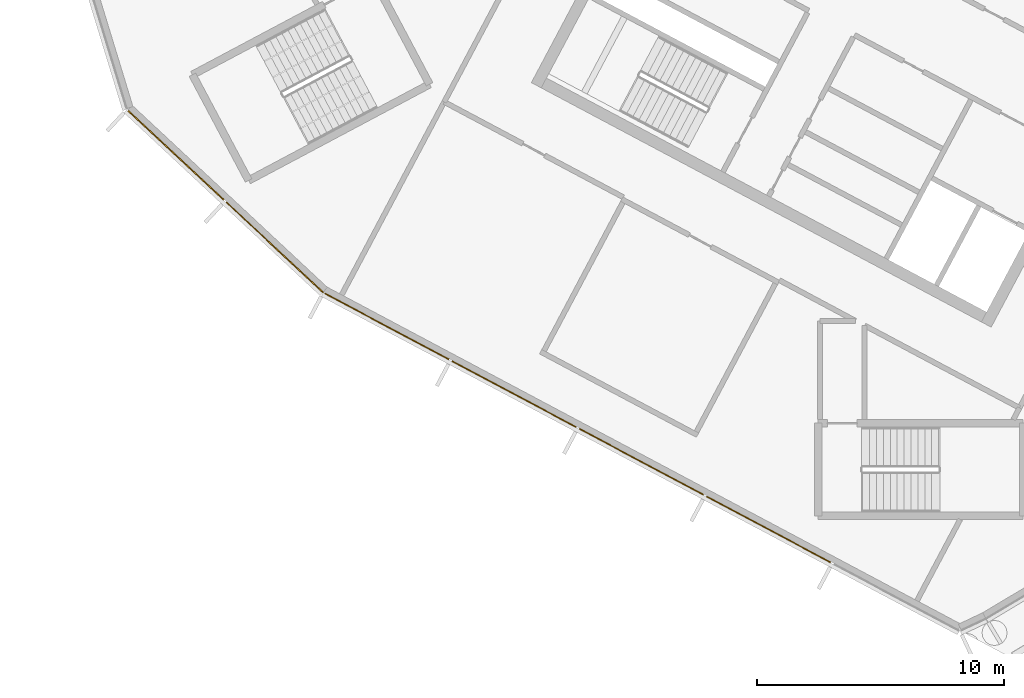
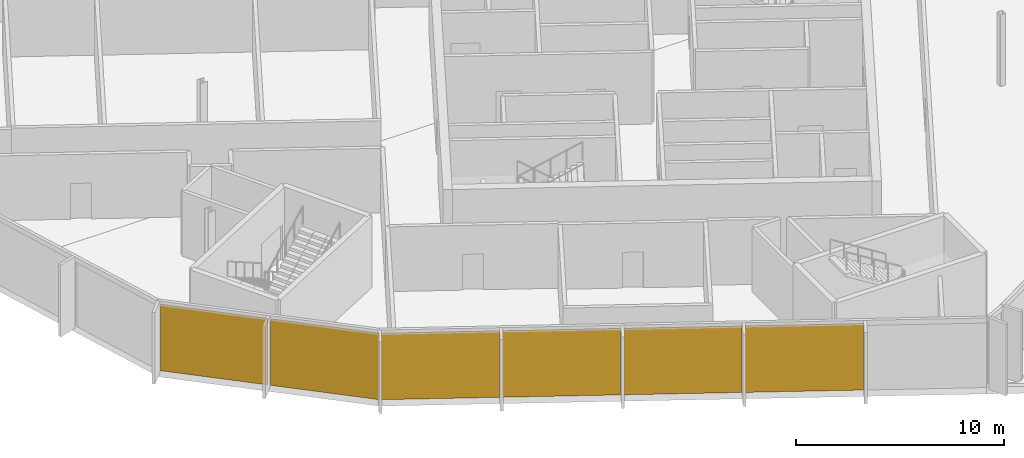
# One storey, part 9 of 12: 6 coverings, 2 elements without a shape of their own.
"""IFC4 building model written with IfcOpenShell, lengths in metres."""

from ifc_helpers import new_model, si_unit, direction, frame, origin, origin_2d, place, context, subcontext, project, spatial, rectangle, extrude, material, layer, layer_set, type_object, element, aggregate, save


model = new_model("IFC4")

# Units and contexts
model_context = context("Model", 3, precision=1e-05, world=origin(), true_north=direction((0.0, 1.0)))
body_context = subcontext(model_context, "Body", "Model", "MODEL_VIEW")
ifc_project = project(units=[si_unit("LENGTHUNIT", "METRE"), si_unit("AREAUNIT", "SQUARE_METRE"), si_unit("VOLUMEUNIT", "CUBIC_METRE"), si_unit("PLANEANGLEUNIT", "RADIAN"), si_unit("MASSUNIT", "GRAM", prefix="KILO")], contexts=[model_context])

# Site, building, storey
site_placement = place(None, origin())
site = spatial("IfcSite", under=ifc_project, at=site_placement, CompositionType="ELEMENT")
building_placement = place(site_placement, origin())
building = spatial("IfcBuilding", under=site, at=building_placement, Name="Cormorant Relay Tower", CompositionType="ELEMENT")
storey_placement = place(building_placement, frame((0.0, 0.0, 349.199951171875)))
storey = spatial("IfcBuildingStorey", under=building, at=storey_placement, Name="C6", CompositionType="ELEMENT", Elevation=349.199951171875)

# Curtain wall, coverings
ifc_material_1 = material(Name="Aluminium 6063-T6 anodised bronze", Category="aluminium")
ifc_layer_1 = layer(ifc_material_1, 0.199951171875)
ifc_layer_set_1 = layer_set([ifc_layer_1], Name="CW3 crown screen wall")
curtain_wall_type = type_object("IfcCurtainWallType", Name="CW3 crown screen wall", PredefinedType="NOTDEFINED", material=ifc_layer_set_1)
curtain_wall_1_placement = place(storey_placement, origin())
curtain_wall_1 = element("IfcCurtainWall", 1, at=curtain_wall_1_placement, inside=storey, type_object=curtain_wall_type, Name="CW3 curtain wall 1", PredefinedType="NOTDEFINED")
ifc_material_2 = material(Name="Perforated bronze anodised aluminium screen", Category="aluminium")
ifc_layer_2 = layer(ifc_material_2, 0.0400390625)
ifc_layer_set_2 = layer_set([ifc_layer_2], Name="CW3 perforated bronze screen panel 40")
covering_type = type_object("IfcCoveringType", Name="CW3 perforated bronze screen panel 40", PredefinedType="CLADDING", material=ifc_layer_set_2)
covering_1_placement = place(storey_placement, frame((-47.023193359375, 1.196044921875, 0.0), z_axis=(0.0, 0.0, 1.0), x_axis=(0.882947592859, -0.469471562786, 0.0)))
covering_1 = element("IfcCovering", 2, at=covering_1_placement, type_object=covering_type, Name="CW3 panel X00", PredefinedType="CLADDING", context=body_context, shape_type="SweptSolid", body=[
    extrude(rectangle(XDim=5.688720703125, YDim=0.0400390625, at=origin_2d()), origin(), (0.0, 0.0, 1.0), 3.89990234375),
])
covering_2_placement = place(storey_placement, frame((-41.8681640625, -1.544921875, 0.0), z_axis=(0.0, 0.0, 1.0), x_axis=(0.882947592859, -0.469471562786, 0.0)))
covering_2 = element("IfcCovering", 3, at=covering_2_placement, type_object=covering_type, Name="CW3 panel X01", PredefinedType="CLADDING", context=body_context, shape_type="SweptSolid", body=[
    extrude(rectangle(XDim=5.688720703125, YDim=0.0400390625, at=origin_2d()), origin(), (0.0, 0.0, 1.0), 3.89990234375),
])
covering_3_placement = place(storey_placement, frame((-36.712890625, -4.285888671875, 0.0), z_axis=(0.0, 0.0, 1.0), x_axis=(0.882947592859, -0.469471562786, 0.0)))
covering_3 = element("IfcCovering", 4, at=covering_3_placement, type_object=covering_type, Name="CW3 panel X02", PredefinedType="CLADDING", context=body_context, shape_type="SweptSolid", body=[
    extrude(rectangle(XDim=5.688720703125, YDim=0.0400390625, at=origin_2d()), origin(), (0.0, 0.0, 1.0), 3.89990234375),
])
covering_4_placement = place(storey_placement, frame((-31.5576171875, -7.027099609375, 0.0), z_axis=(0.0, 0.0, 1.0), x_axis=(0.882947592859, -0.469471562786, 0.0)))
covering_4 = element("IfcCovering", 5, at=covering_4_placement, type_object=covering_type, Name="CW3 panel X03", PredefinedType="CLADDING", context=body_context, shape_type="SweptSolid", body=[
    extrude(rectangle(XDim=5.688720703125, YDim=0.0400390625, at=origin_2d()), origin(), (0.0, 0.0, 1.0), 3.89990234375),
])
aggregate(curtain_wall_1, [covering_1, covering_2, covering_3, covering_4])

curtain_wall_2_placement = place(storey_placement, origin())
curtain_wall_2 = element("IfcCurtainWall", 6, at=curtain_wall_2_placement, inside=storey, type_object=curtain_wall_type, Name="CW3 curtain wall 22", PredefinedType="NOTDEFINED")
covering_5_placement = place(storey_placement, frame((-55.56787109375, 8.1298828125, 0.0), z_axis=(0.0, 0.0, 1.0), x_axis=(0.731353701619, -0.681998360062, 0.0)))
covering_5 = element("IfcCovering", 7, at=covering_5_placement, type_object=covering_type, Name="CW3 panel X00", PredefinedType="CLADDING", context=body_context, shape_type="SweptSolid", body=[
    extrude(rectangle(XDim=5.28515625, YDim=0.0400390625, at=origin_2d()), origin(), (0.0, 0.0, 1.0), 3.89990234375),
])
covering_6_placement = place(storey_placement, frame((-51.565185546875, 4.3974609375, 0.0), z_axis=(0.0, 0.0, 1.0), x_axis=(0.731353701619, -0.681998360062, 0.0)))
covering_6 = element("IfcCovering", 8, at=covering_6_placement, type_object=covering_type, Name="CW3 panel X01", PredefinedType="CLADDING", context=body_context, shape_type="SweptSolid", body=[
    extrude(rectangle(XDim=5.360107421875, YDim=0.0400390625, at=origin_2d()), origin(), (0.0, 0.0, 1.0), 3.89990234375),
])
aggregate(curtain_wall_2, [covering_5, covering_6])

save(model, "model.ifc")
